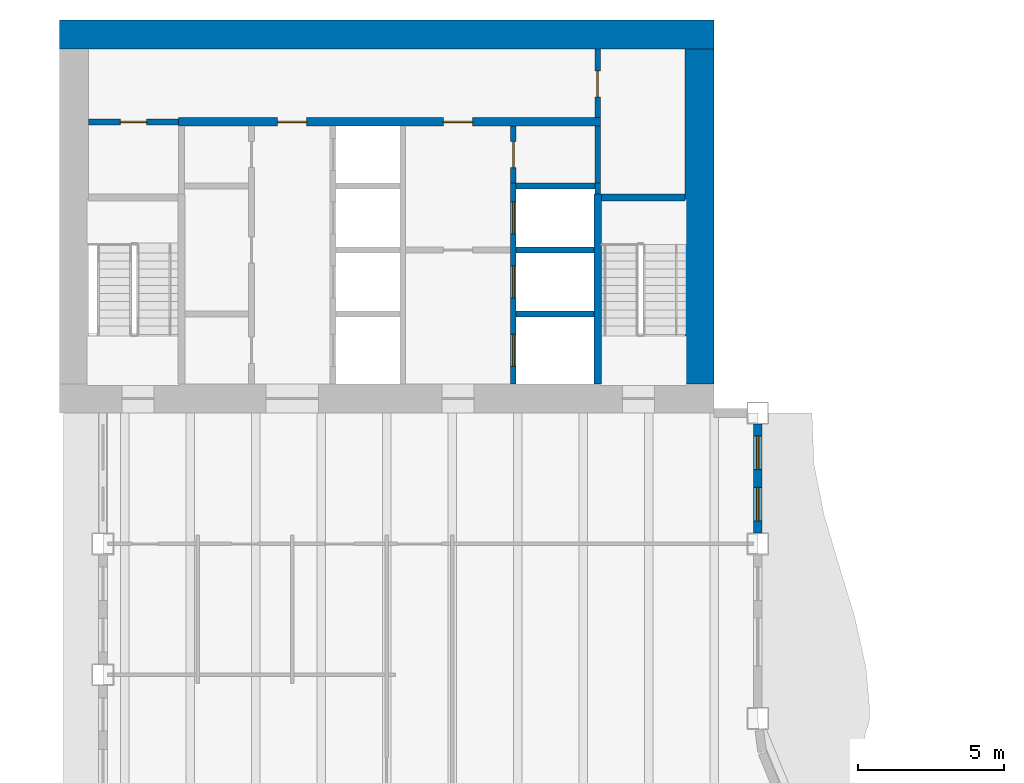
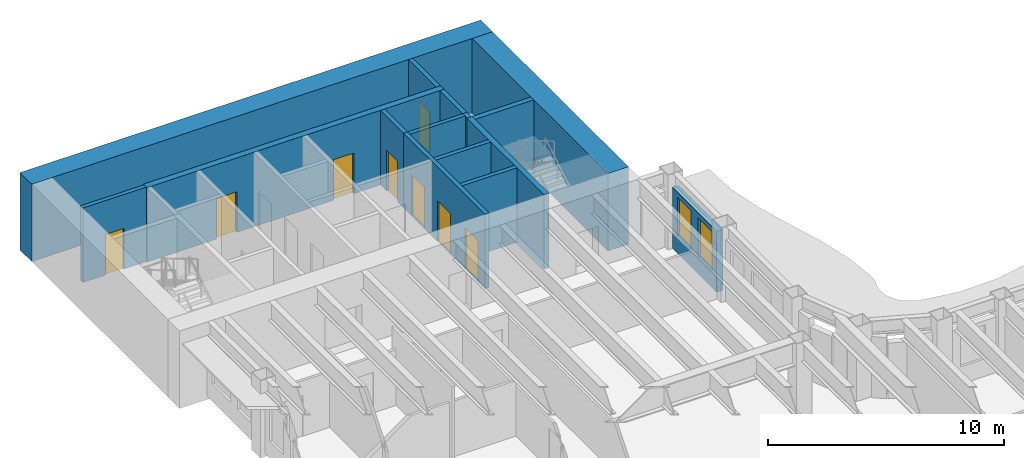
# One storey, part 9 of 16: 15 walls, 8 doors, 2 windows, 10 openings.
"""IFC4 building model written with IfcOpenShell, lengths in metres."""

from ifc_helpers import new_model, si_unit, direction, frame, frame_2d, origin, place, context, subcontext, project, spatial, rectangle, extrude, material, layer, layer_set, type_object, element, fill, save


model = new_model("IFC4")

# Units and contexts
model_context = context("Model", 3, precision=1e-05, world=origin(), true_north=direction((0.0, 1.0)))
body_context = subcontext(model_context, "Body", "Model", "MODEL_VIEW")
ifc_project = project(units=[si_unit("LENGTHUNIT", "METRE"), si_unit("AREAUNIT", "SQUARE_METRE"), si_unit("VOLUMEUNIT", "CUBIC_METRE"), si_unit("PLANEANGLEUNIT", "RADIAN"), si_unit("MASSUNIT", "GRAM", prefix="KILO")], contexts=[model_context])

# Site, building, storey
site_placement = place(None, origin())
site = spatial("IfcSite", under=ifc_project, at=site_placement, CompositionType="ELEMENT")
building_placement = place(site_placement, origin())
building = spatial("IfcBuilding", under=site, at=building_placement, Name="Sennacour Bend Tower", CompositionType="ELEMENT")
storey_placement = place(building_placement, frame((0.0, 0.0, 211.0)))
storey = spatial("IfcBuildingStorey", under=building, at=storey_placement, Name="L48", CompositionType="ELEMENT", Elevation=211.0)

# Walls
ifc_material_1 = material(Name="Concrete C60/75", Category="concrete")
ifc_layer_1 = layer(ifc_material_1, 1.0, Name="Concrete C60/75", Category="concrete")
ifc_layer_set_1 = layer_set([ifc_layer_1], Name="Concrete C60/75")
wall_type_1 = type_object("IfcWallType", Name="Core wall 1000 C60/75", PredefinedType="SHEAR", material=ifc_layer_set_1)
wall_1_placement = place(storey_placement, frame((0.0, 49.0, -0.14990234375), z_axis=(0.0, 0.0, 1.0), x_axis=(1.0, 0.0, 0.0)))
element("IfcWall", 1, at=wall_1_placement, inside=storey, type_object=wall_type_1, Name="Core B wall L48 N", PredefinedType="SHEAR", context=body_context, shape_type="SweptSolid", body=[
    extrude(rectangle(XDim=22.5, YDim=1.0, at=frame_2d((11.25, 0.0))), origin(), (0.0, 0.0, 1.0), 4.0),
])
wall_2_placement = place(storey_placement, frame((22.0, 37.0, -0.14990234375), z_axis=(0.0, 0.0, 1.0), x_axis=(0.0, 1.0, 0.0)))
element("IfcWall", 2, at=wall_2_placement, inside=storey, type_object=wall_type_1, Name="Core B wall L48 E", PredefinedType="SHEAR", context=body_context, shape_type="SweptSolid", body=[
    extrude(rectangle(XDim=11.5, YDim=1.0, at=frame_2d((5.75, 0.0))), origin(), (0.0, 0.0, 1.0), 4.0),
])

# Wall, opening, door
ifc_material_2 = material(Name="Fire-rated plasterboard partition on steel studs", Category="steel")
ifc_layer_2 = layer(ifc_material_2, 0.199951171875, Name="Fire-rated plasterboard partition on steel studs", Category="steel")
ifc_layer_set_2 = layer_set([ifc_layer_2], Name="Fire-rated plasterboard partition on steel studs")
wall_type_2 = type_object("IfcWallType", Name="Rated partition 200", PredefinedType="PARTITIONING", material=ifc_layer_set_2)
wall_3_placement = place(storey_placement, frame((15.60009765625, 43.89990234375, 0.0), z_axis=(0.0, 0.0, 1.0), x_axis=(0.0, 1.0, 0.0)))
wall_3 = element("IfcWall", 3, at=wall_3_placement, inside=storey, type_object=wall_type_2, Name="P-L48-W018", PredefinedType="PARTITIONING", context=body_context, shape_type="SweptSolid", body=[
    extrude(rectangle(XDim=1.9501953125, YDim=0.199951171875, at=frame_2d((0.97509765625, 0.0))), origin(), (0.0, 0.0, 1.0), 3.85009765625),
])
opening_1_placement = place(wall_3_placement, frame((0.525146484375, 0.0, 0.0)))
opening_1 = element("IfcOpeningElement", 4, at=opening_1_placement, cuts=wall_3, Name="Opening SV", PredefinedType="OPENING", context=body_context, shape_type="SweptSolid", body=[
    extrude(rectangle(XDim=0.89990234375, YDim=2.10009765625, at=frame_2d((0.449951171875, 1.050048828125))), frame((0.0, 0.10986328125, 0.0), z_axis=(0.0, -1.0, 0.0), x_axis=(1.0, 0.0, 0.0)), (0.0, 0.0, 1.0), 0.219970703125),
])
ifc_material_3 = material(Name="Painted steel", Category="steel")
door_type_1 = type_object("IfcDoorType", Name="DR-SERVICE-900", OperationType="NOTDEFINED", PredefinedType="DOOR", material=ifc_material_3)
door_1_placement = place(opening_1_placement, origin())
door_1 = element("IfcDoor", 5, at=door_1_placement, inside=storey, type_object=door_type_1, Name="Door", OperationType="SINGLE_SWING_RIGHT", OverallHeight=2.10009765625, OverallWidth=0.89990234375, PredefinedType="DOOR", context=body_context, shape_type="SweptSolid", body=[
    extrude(rectangle(XDim=0.89990234375, YDim=2.10009765625, at=frame_2d((0.449951171875, 1.050048828125))), frame((0.0, 0.02490234375, 0.0), z_axis=(0.0, -1.0, 0.0), x_axis=(1.0, 0.0, 0.0)), (0.0, 0.0, 1.0), 0.050048828125),
])
fill(opening_1, door_1)

# Wall
wall_4_placement = place(storey_placement, frame((18.5, 43.89990234375, 0.0), z_axis=(0.0, 0.0, 1.0), x_axis=(0.0, 1.0, 0.0)))
element("IfcWall", 6, at=wall_4_placement, inside=storey, type_object=wall_type_2, Name="P-L48-W021a", PredefinedType="PARTITIONING", context=body_context, shape_type="SweptSolid", body=[
    extrude(rectangle(XDim=1.9501953125, YDim=0.199951171875, at=frame_2d((0.97509765625, 0.0))), origin(), (0.0, 0.0, 1.0), 3.85009765625),
])

# Wall, opening, door
wall_5_placement = place(storey_placement, frame((18.5, 46.14990234375, 0.0), z_axis=(0.0, 0.0, 1.0), x_axis=(0.0, 1.0, 0.0)))
wall_5 = element("IfcWall", 7, at=wall_5_placement, inside=storey, type_object=wall_type_2, Name="P-L48-W021b", PredefinedType="PARTITIONING", context=body_context, shape_type="SweptSolid", body=[
    extrude(rectangle(XDim=2.35009765625, YDim=0.199951171875, at=frame_2d((1.175048828125, 0.0))), origin(), (0.0, 0.0, 1.0), 3.85009765625),
])
opening_2_placement = place(wall_5_placement, frame((0.7001953125, 0.0, 0.0)))
opening_2 = element("IfcOpeningElement", 8, at=opening_2_placement, cuts=wall_5, Name="Opening SV", PredefinedType="OPENING", context=body_context, shape_type="SweptSolid", body=[
    extrude(rectangle(XDim=0.89990234375, YDim=2.10009765625, at=frame_2d((0.449951171875, 1.050048828125))), frame((0.0, 0.10986328125, 0.0), z_axis=(0.0, -1.0, 0.0), x_axis=(1.0, 0.0, 0.0)), (0.0, 0.0, 1.0), 0.219970703125),
])
door_2_placement = place(opening_2_placement, origin())
door_2 = element("IfcDoor", 9, at=door_2_placement, inside=storey, type_object=door_type_1, Name="Door", OperationType="SINGLE_SWING_LEFT", OverallHeight=2.10009765625, OverallWidth=0.89990234375, PredefinedType="DOOR", context=body_context, shape_type="SweptSolid", body=[
    extrude(rectangle(XDim=0.89990234375, YDim=2.10009765625, at=frame_2d((0.449951171875, 1.050048828125))), frame((0.0, 0.02490234375, 0.0), z_axis=(0.0, -1.0, 0.0), x_axis=(1.0, 0.0, 0.0)), (0.0, 0.0, 1.0), 0.050048828125),
])
fill(opening_2, door_2)

wall_6_placement = place(storey_placement, frame((1.0, 46.0, 0.0), z_axis=(0.0, 0.0, 1.0), x_axis=(1.0, 0.0, 0.0)))
wall_6 = element("IfcWall", 10, at=wall_6_placement, inside=storey, type_object=wall_type_2, Name="P-L48-W088", PredefinedType="PARTITIONING", context=body_context, shape_type="SweptSolid", body=[
    extrude(rectangle(XDim=3.10009765625, YDim=0.199951171875, at=frame_2d((1.550048828125, 0.0))), origin(), (0.0, 0.0, 1.0), 3.85009765625),
])
opening_3_placement = place(wall_6_placement, frame((1.10009765625, 0.0, 0.0)))
opening_3 = element("IfcOpeningElement", 11, at=opening_3_placement, cuts=wall_6, Name="Opening SV", PredefinedType="OPENING", context=body_context, shape_type="SweptSolid", body=[
    extrude(rectangle(XDim=0.89990234375, YDim=2.10009765625, at=frame_2d((0.449951171875, 1.050048828125))), frame((0.0, 0.10986328125, 0.0), z_axis=(0.0, -1.0, 0.0), x_axis=(1.0, 0.0, 0.0)), (0.0, 0.0, 1.0), 0.219970703125),
])
door_3_placement = place(opening_3_placement, origin())
door_3 = element("IfcDoor", 12, at=door_3_placement, inside=storey, type_object=door_type_1, Name="Door", OperationType="SINGLE_SWING_LEFT", OverallHeight=2.10009765625, OverallWidth=0.89990234375, PredefinedType="DOOR", context=body_context, shape_type="SweptSolid", body=[
    extrude(rectangle(XDim=0.89990234375, YDim=2.10009765625, at=frame_2d((0.449951171875, 1.050048828125))), frame((0.0, 0.02490234375, 0.0), z_axis=(0.0, -1.0, 0.0), x_axis=(1.0, 0.0, 0.0)), (0.0, 0.0, 1.0), 0.050048828125),
])
fill(opening_3, door_3)

# Wall, openings, windows
ifc_material_4 = material(Name="Warm limestone cladding", Category="masonry")
ifc_layer_3 = layer(ifc_material_4, 0.050048828125, Name="Warm limestone cladding", Category="masonry")
ifc_material_5 = material(Name="Precast concrete C40/50", Category="concrete")
ifc_layer_4 = layer(ifc_material_5, 0.25, Name="Precast concrete C40/50", Category="concrete")
ifc_layer_set_3 = layer_set([ifc_layer_3, ifc_layer_4], Name="Precast concrete C40/50 with limestone cladding")
wall_type_3 = type_object("IfcWallType", Name="STONE-CLAD PRECAST SPANDREL 300", PredefinedType="STANDARD", material=ifc_layer_set_3)
wall_7_placement = place(storey_placement, frame((24.0, 31.875, 0.0), z_axis=(0.0, 0.0, 1.0), x_axis=(0.0, 1.0, 0.0)))
wall_7 = element("IfcWall", 13, at=wall_7_placement, inside=storey, type_object=wall_type_3, Name="Stone spandrel and pier wall L48 13.01", PredefinedType="STANDARD", context=body_context, shape_type="SweptSolid", body=[
    extrude(rectangle(XDim=3.75, YDim=0.300048828125, at=frame_2d((1.875, 0.0))), origin(), (0.0, 0.0, 1.0), 3.156982421875),
])
opening_4_placement = place(wall_7_placement, frame((0.41259765625, 0.0, 0.89990234375)))
opening_4 = element("IfcOpeningElement", 14, at=opening_4_placement, cuts=wall_7, Name="Opening W24", PredefinedType="OPENING", context=body_context, shape_type="SweptSolid", body=[
    extrude(rectangle(XDim=1.14990234375, YDim=2.0, at=frame_2d((0.574951171875, 1.0))), frame((0.0, 0.16015625, 0.0), z_axis=(0.0, -1.0, 0.0), x_axis=(1.0, 0.0, 0.0)), (0.0, 0.0, 1.0), 0.320068359375),
])
opening_5_placement = place(wall_7_placement, frame((2.1875, 0.0, 0.89990234375)))
opening_5 = element("IfcOpeningElement", 15, at=opening_5_placement, cuts=wall_7, Name="Opening W24", PredefinedType="OPENING", context=body_context, shape_type="SweptSolid", body=[
    extrude(rectangle(XDim=1.14990234375, YDim=2.0, at=frame_2d((0.574951171875, 1.0))), frame((0.0, 0.16015625, 0.0), z_axis=(0.0, -1.0, 0.0), x_axis=(1.0, 0.0, 0.0)), (0.0, 0.0, 1.0), 0.320068359375),
])
ifc_material_6 = material(Name="Clear low-emissivity glass", Category="glass")
window_type = type_object("IfcWindowType", Name="WIN-RIBBON-1150x2000", PartitioningType="SINGLE_PANEL", PredefinedType="WINDOW", material=ifc_material_6)
window_1_placement = place(opening_4_placement, origin())
window_1 = element("IfcWindow", 16, at=window_1_placement, inside=storey, type_object=window_type, Name="Ribbon window L48 13.01.0", OverallHeight=2.0, OverallWidth=1.14990234375, PartitioningType="SINGLE_PANEL", PredefinedType="WINDOW", context=body_context, shape_type="SweptSolid", body=[
    extrude(rectangle(XDim=1.14990234375, YDim=2.0, at=frame_2d((0.574951171875, 1.0))), frame((0.0, 0.030029296875, 0.0), z_axis=(0.0, -1.0, 0.0), x_axis=(1.0, 0.0, 0.0)), (0.0, 0.0, 1.0), 0.06005859375),
])
fill(opening_4, window_1)
window_2_placement = place(opening_5_placement, origin())
window_2 = element("IfcWindow", 17, at=window_2_placement, inside=storey, type_object=window_type, Name="Ribbon window L48 13.01.1", OverallHeight=2.0, OverallWidth=1.14990234375, PartitioningType="SINGLE_PANEL", PredefinedType="WINDOW", context=body_context, shape_type="SweptSolid", body=[
    extrude(rectangle(XDim=1.14990234375, YDim=2.0, at=frame_2d((0.574951171875, 1.0))), frame((0.0, 0.030029296875, 0.0), z_axis=(0.0, -1.0, 0.0), x_axis=(1.0, 0.0, 0.0)), (0.0, 0.0, 1.0), 0.06005859375),
])
fill(opening_5, window_2)

# Wall, openings, doors
ifc_material_7 = material(Name="Concrete C50/60", Category="concrete")
ifc_layer_5 = layer(ifc_material_7, 0.199951171875, Name="Concrete C50/60", Category="concrete")
ifc_layer_set_4 = layer_set([ifc_layer_5], Name="Concrete C50/60")
wall_type_4 = type_object("IfcWallType", Name="Shaft wall 200", PredefinedType="SOLIDWALL", material=ifc_layer_set_4)
wall_8_placement = place(storey_placement, frame((15.60009765625, 37.0, 0.0), z_axis=(0.0, 0.0, 1.0), x_axis=(0.0, 1.0, 0.0)))
wall_8 = element("IfcWall", 18, at=wall_8_placement, inside=storey, type_object=wall_type_4, Name="P-L48-W017", PredefinedType="SOLIDWALL", context=body_context, shape_type="SweptSolid", body=[
    extrude(rectangle(XDim=6.89990234375, YDim=0.199951171875, at=frame_2d((3.449951171875, 0.0))), origin(), (0.0, 0.0, 1.0), 3.85009765625),
])
opening_6_placement = place(wall_8_placement, frame((0.60009765625, 0.0, 0.011962890625)))
opening_6 = element("IfcOpeningElement", 19, at=opening_6_placement, cuts=wall_8, Name="Opening FLD", PredefinedType="OPENING", context=body_context, shape_type="SweptSolid", body=[
    extrude(rectangle(XDim=1.10009765625, YDim=2.10009765625, at=frame_2d((0.550048828125, 1.050048828125))), frame((0.0, 0.10986328125, 0.0), z_axis=(0.0, -1.0, 0.0), x_axis=(1.0, 0.0, 0.0)), (0.0, 0.0, 1.0), 0.219970703125),
])
opening_7_placement = place(wall_8_placement, frame((2.949951171875, 0.0, 0.011962890625)))
opening_7 = element("IfcOpeningElement", 20, at=opening_7_placement, cuts=wall_8, Name="Opening FLD", PredefinedType="OPENING", context=body_context, shape_type="SweptSolid", body=[
    extrude(rectangle(XDim=1.10009765625, YDim=2.10009765625, at=frame_2d((0.550048828125, 1.050048828125))), frame((0.0, 0.10986328125, 0.0), z_axis=(0.0, -1.0, 0.0), x_axis=(1.0, 0.0, 0.0)), (0.0, 0.0, 1.0), 0.219970703125),
])
opening_8_placement = place(wall_8_placement, frame((5.14990234375, 0.0, 0.011962890625)))
opening_8 = element("IfcOpeningElement", 21, at=opening_8_placement, cuts=wall_8, Name="Opening LD", PredefinedType="OPENING", context=body_context, shape_type="SweptSolid", body=[
    extrude(rectangle(XDim=1.10009765625, YDim=2.10009765625, at=frame_2d((0.550048828125, 1.050048828125))), frame((0.0, 0.10986328125, 0.0), z_axis=(0.0, -1.0, 0.0), x_axis=(1.0, 0.0, 0.0)), (0.0, 0.0, 1.0), 0.219970703125),
])
ifc_material_8 = material(Name="Stainless steel", Category="steel")
door_type_2 = type_object("IfcDoorType", Name="DR-FF-LANDING-1100", OperationType="NOTDEFINED", PredefinedType="DOOR", material=ifc_material_8)
door_4_placement = place(opening_6_placement, origin())
door_4 = element("IfcDoor", 22, at=door_4_placement, inside=storey, type_object=door_type_2, Name="Fire service lift landing door FB1", OperationType="SLIDING_TO_LEFT", OverallHeight=2.10009765625, OverallWidth=1.10009765625, PredefinedType="DOOR", context=body_context, shape_type="SweptSolid", body=[
    extrude(rectangle(XDim=1.10009765625, YDim=2.10009765625, at=frame_2d((0.550048828125, 1.050048828125))), frame((0.0, 0.02490234375, 0.0), z_axis=(0.0, -1.0, 0.0), x_axis=(1.0, 0.0, 0.0)), (0.0, 0.0, 1.0), 0.050048828125),
])
fill(opening_6, door_4)
door_5_placement = place(opening_7_placement, origin())
door_5 = element("IfcDoor", 23, at=door_5_placement, inside=storey, type_object=door_type_2, Name="Fire service lift landing door FB2", OperationType="SLIDING_TO_RIGHT", OverallHeight=2.10009765625, OverallWidth=1.10009765625, PredefinedType="DOOR", context=body_context, shape_type="SweptSolid", body=[
    extrude(rectangle(XDim=1.10009765625, YDim=2.10009765625, at=frame_2d((0.550048828125, 1.050048828125))), frame((0.0, 0.02490234375, 0.0), z_axis=(0.0, -1.0, 0.0), x_axis=(1.0, 0.0, 0.0)), (0.0, 0.0, 1.0), 0.050048828125),
])
fill(opening_7, door_5)
door_type_3 = type_object("IfcDoorType", Name="DR-LANDING-1100", OperationType="NOTDEFINED", PredefinedType="DOOR", material=ifc_material_8)
door_6_placement = place(opening_8_placement, origin())
door_6 = element("IfcDoor", 24, at=door_6_placement, inside=storey, type_object=door_type_3, Name="Lift landing door MB5", OperationType="SLIDING_TO_LEFT", OverallHeight=2.10009765625, OverallWidth=1.10009765625, PredefinedType="DOOR", context=body_context, shape_type="SweptSolid", body=[
    extrude(rectangle(XDim=1.10009765625, YDim=2.10009765625, at=frame_2d((0.550048828125, 1.050048828125))), frame((0.0, 0.02490234375, 0.0), z_axis=(0.0, -1.0, 0.0), x_axis=(1.0, 0.0, 0.0)), (0.0, 0.0, 1.0), 0.050048828125),
])
fill(opening_8, door_6)

# Walls
wall_9_placement = place(storey_placement, frame((18.5, 43.52490234375, 0.0), z_axis=(0.0, 0.0, 1.0), x_axis=(0.0, 1.0, 0.0)))
element("IfcWall", 25, at=wall_9_placement, inside=storey, type_object=wall_type_4, Name="P-L48-W020", PredefinedType="SOLIDWALL", context=body_context, shape_type="SweptSolid", body=[
    extrude(rectangle(XDim=0.375, YDim=0.199951171875, at=frame_2d((0.1875, 0.0))), origin(), (0.0, 0.0, 1.0), 3.85009765625),
])
for number, where, z_axis, x_axis, name in (
    (26, (15.699951171875, 39.39990234375, 0.0), (0.0, 0.0, 1.0), (1.0, 0.0, 0.0), "P-L48-W079"),
    (27, (15.699951171875, 41.60009765625, 0.0), (0.0, 0.0, 1.0), (1.0, 0.0, 0.0), "P-L48-W082"),
):
    element("IfcWall", number, at=place(storey_placement, frame(where, z_axis=z_axis, x_axis=x_axis)), inside=storey, type_object=wall_type_4, Name=name, PredefinedType="SOLIDWALL", context=body_context, shape_type="SweptSolid", body=[
        extrude(rectangle(XDim=2.675048828125, YDim=0.199951171875, at=frame_2d((1.33740234375, 0.0))), origin(), (0.0, 0.0, 1.0), 3.85009765625),
    ])
wall_10_placement = place(storey_placement, frame((15.699951171875, 43.800048828125, 0.0), z_axis=(0.0, 0.0, 1.0), x_axis=(1.0, 0.0, 0.0)))
element("IfcWall", 28, at=wall_10_placement, inside=storey, type_object=wall_type_4, Name="P-L48-W087", PredefinedType="SOLIDWALL", context=body_context, shape_type="SweptSolid", body=[
    extrude(rectangle(XDim=2.699951171875, YDim=0.199951171875, at=frame_2d((1.35009765625, 0.0))), origin(), (0.0, 0.0, 1.0), 3.85009765625),
])

# Wall, openings, doors
ifc_layer_6 = layer(ifc_material_1, 0.300048828125, Name="Concrete C60/75", Category="concrete")
ifc_layer_set_5 = layer_set([ifc_layer_6], Name="Concrete C60/75")
wall_type_5 = type_object("IfcWallType", Name="Spine wall 300", PredefinedType="SHEAR", material=ifc_layer_set_5)
wall_11_placement = place(storey_placement, frame((4.10009765625, 46.0, 0.0), z_axis=(0.0, 0.0, 1.0), x_axis=(1.0, 0.0, 0.0)))
wall_11 = element("IfcWall", 29, at=wall_11_placement, inside=storey, type_object=wall_type_5, Name="P-L48-W089", PredefinedType="SHEAR", context=body_context, shape_type="SweptSolid", body=[
    extrude(rectangle(XDim=14.5, YDim=0.300048828125, at=frame_2d((7.25, 0.0))), origin(), (0.0, 0.0, 1.0), 3.85009765625),
])
opening_9_placement = place(wall_11_placement, frame((3.39990234375, 0.0, 0.0)))
opening_9 = element("IfcOpeningElement", 30, at=opening_9_placement, cuts=wall_11, Name="Opening CD2", PredefinedType="OPENING", context=body_context, shape_type="SweptSolid", body=[
    extrude(rectangle(XDim=1.0, YDim=2.10009765625, at=frame_2d((0.5, 1.050048828125))), frame((0.0, 0.16015625, 0.0), z_axis=(0.0, -1.0, 0.0), x_axis=(1.0, 0.0, 0.0)), (0.0, 0.0, 1.0), 0.320068359375),
])
opening_10_placement = place(wall_11_placement, frame((9.099853515625, 0.0, 0.0)))
opening_10 = element("IfcOpeningElement", 31, at=opening_10_placement, cuts=wall_11, Name="Opening CD2", PredefinedType="OPENING", context=body_context, shape_type="SweptSolid", body=[
    extrude(rectangle(XDim=1.0, YDim=2.10009765625, at=frame_2d((0.5, 1.050048828125))), frame((0.0, 0.16015625, 0.0), z_axis=(0.0, -1.0, 0.0), x_axis=(1.0, 0.0, 0.0)), (0.0, 0.0, 1.0), 0.320068359375),
])
door_type_4 = type_object("IfcDoorType", Name="DR-LOBBY-1000", OperationType="NOTDEFINED", PredefinedType="DOOR", material=ifc_material_3)
door_7_placement = place(opening_9_placement, origin())
door_7 = element("IfcDoor", 32, at=door_7_placement, inside=storey, type_object=door_type_4, Name="Door", OperationType="SINGLE_SWING_LEFT", OverallHeight=2.10009765625, OverallWidth=1.0, PredefinedType="DOOR", context=body_context, shape_type="SweptSolid", body=[
    extrude(rectangle(XDim=1.0, YDim=2.10009765625, at=frame_2d((0.5, 1.050048828125))), frame((0.0, 0.02490234375, 0.0), z_axis=(0.0, -1.0, 0.0), x_axis=(1.0, 0.0, 0.0)), (0.0, 0.0, 1.0), 0.050048828125),
])
fill(opening_9, door_7)
door_8_placement = place(opening_10_placement, origin())
door_8 = element("IfcDoor", 33, at=door_8_placement, inside=storey, type_object=door_type_4, Name="Door", OperationType="SINGLE_SWING_RIGHT", OverallHeight=2.10009765625, OverallWidth=1.0, PredefinedType="DOOR", context=body_context, shape_type="SweptSolid", body=[
    extrude(rectangle(XDim=1.0, YDim=2.10009765625, at=frame_2d((0.5, 1.050048828125))), frame((0.0, 0.02490234375, 0.0), z_axis=(0.0, -1.0, 0.0), x_axis=(1.0, 0.0, 0.0)), (0.0, 0.0, 1.0), 0.050048828125),
])
fill(opening_10, door_8)

# Walls
ifc_layer_7 = layer(ifc_material_1, 0.25, Name="Concrete C60/75", Category="concrete")
ifc_layer_set_6 = layer_set([ifc_layer_7], Name="Concrete C60/75")
wall_type_6 = type_object("IfcWallType", Name="Stair wall 250", PredefinedType="SHEAR", material=ifc_layer_set_6)
wall_12_placement = place(storey_placement, frame((18.5, 37.0, 0.0), z_axis=(0.0, 0.0, 1.0), x_axis=(0.0, 1.0, 0.0)))
element("IfcWall", 34, at=wall_12_placement, inside=storey, type_object=wall_type_6, Name="P-L48-W019", PredefinedType="SHEAR", context=body_context, shape_type="SweptSolid", body=[
    extrude(rectangle(XDim=6.52490234375, YDim=0.25, at=frame_2d((3.262451171875, 0.0))), origin(), (0.0, 0.0, 1.0), 3.85009765625),
])
wall_13_placement = place(storey_placement, frame((18.625, 43.39990234375, 0.0), z_axis=(0.0, 0.0, 1.0), x_axis=(1.0, 0.0, 0.0)))
element("IfcWall", 35, at=wall_13_placement, inside=storey, type_object=wall_type_6, Name="P-L48-W084", PredefinedType="SHEAR", context=body_context, shape_type="SweptSolid", body=[
    extrude(rectangle(XDim=2.875, YDim=0.25, at=frame_2d((1.4375, 0.0))), origin(), (0.0, 0.0, 1.0), 3.85009765625),
])

save(model, "model.ifc")
